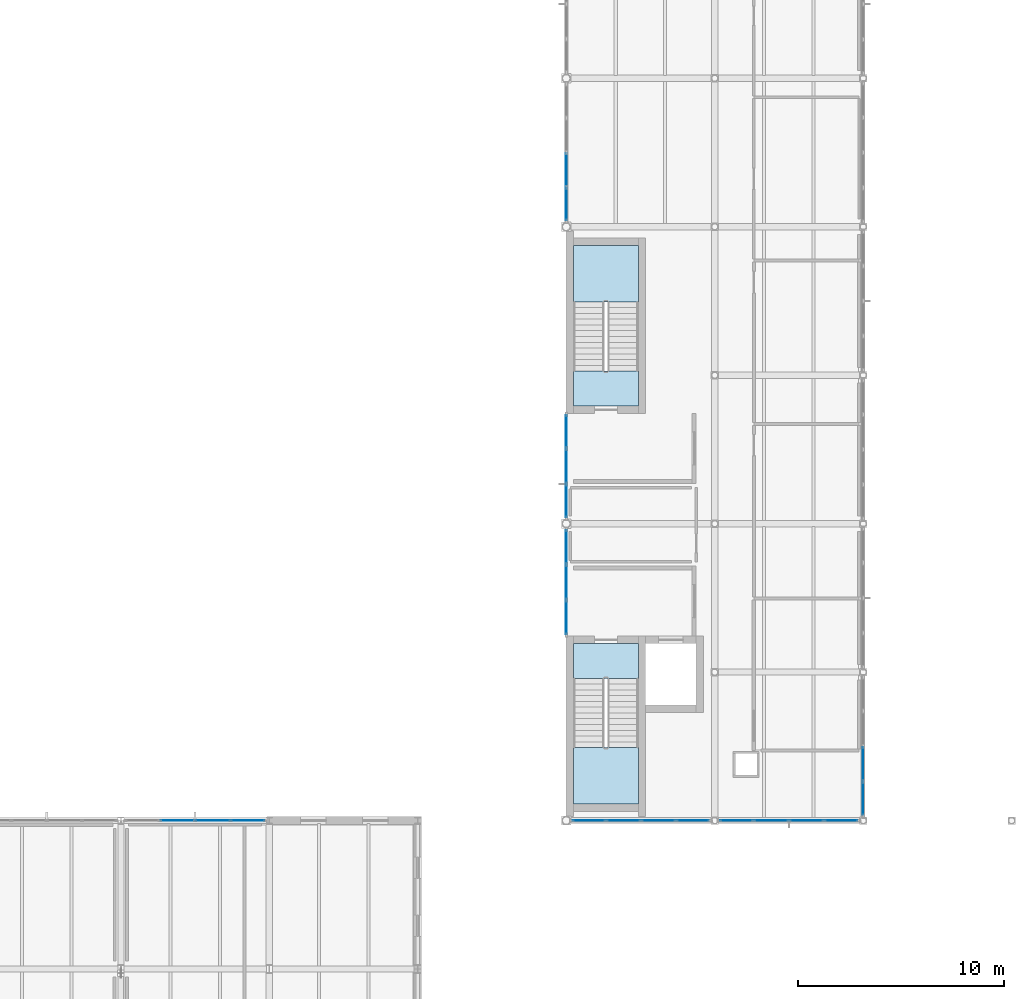
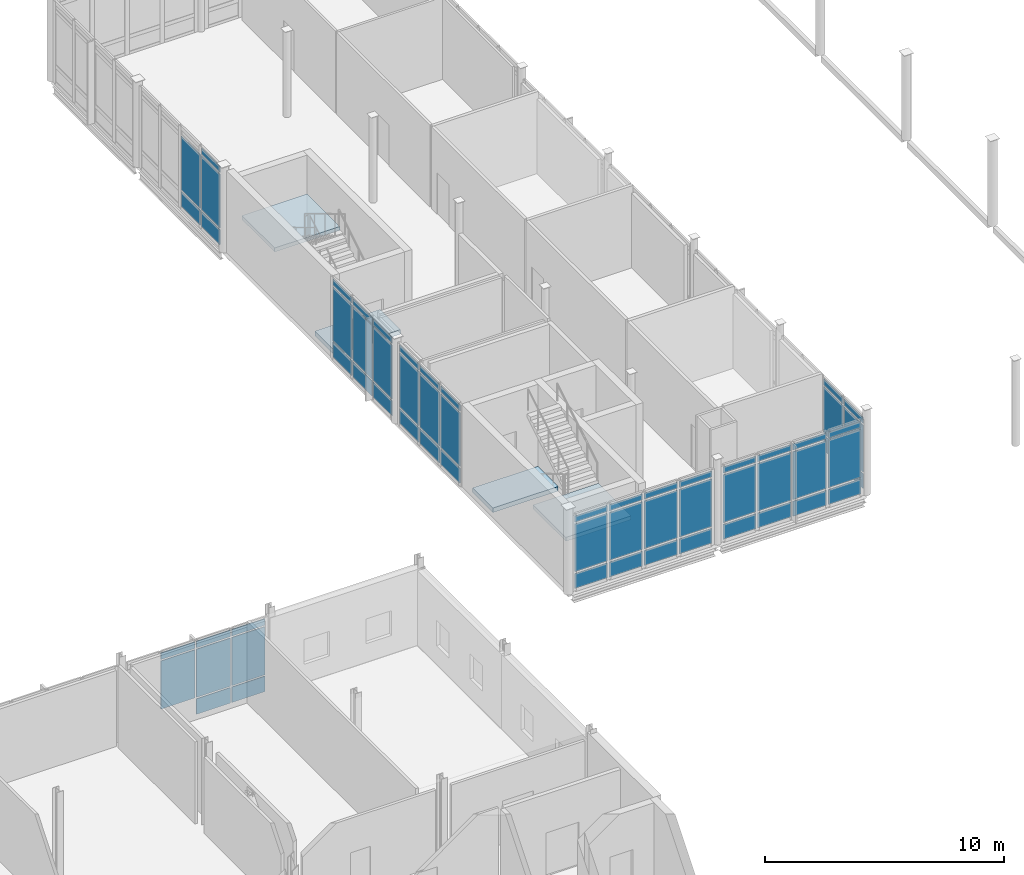
# One storey, part 38 of 76: 61 plates, 4 slabs, 9 elements without a shape of their own.
"""IFC4 building model written with IfcOpenShell, lengths in metres."""

from ifc_helpers import new_model, si_unit, direction, frame, origin, origin_2d, place, context, subcontext, project, spatial, polyline, rectangle, outline, extrude, material, layer, layer_set, type_object, element, aggregate, save


model = new_model("IFC4")

# Units and contexts
model_context = context("Model", 3, precision=1e-05, world=origin(), true_north=direction((0.0, 1.0)))
body_context = subcontext(model_context, "Body", "Model", "MODEL_VIEW")
ifc_project = project(units=[si_unit("LENGTHUNIT", "METRE"), si_unit("AREAUNIT", "SQUARE_METRE"), si_unit("VOLUMEUNIT", "CUBIC_METRE"), si_unit("PLANEANGLEUNIT", "RADIAN"), si_unit("MASSUNIT", "GRAM", prefix="KILO")], contexts=[model_context])

# Site, building, storey
site_placement = place(None, origin())
site = spatial("IfcSite", under=ifc_project, at=site_placement, CompositionType="ELEMENT")
building_placement = place(site_placement, origin())
building = spatial("IfcBuilding", under=site, at=building_placement, Name="Zarrinpeak Specialist Clinic", CompositionType="ELEMENT")
storey_placement = place(building_placement, frame((0.0, 0.0, 5.199951171875)))
storey = spatial("IfcBuildingStorey", under=building, at=storey_placement, Name="L01", CompositionType="ELEMENT", Elevation=5.199951171875)

# Curtain wall, plates
ifc_material_1 = material(Name="Anodised Aluminium Alloy 6063-T6", Category="aluminium")
ifc_layer_1 = layer(ifc_material_1, 0.199951171875)
ifc_layer_set_1 = layer_set([ifc_layer_1], Name="Anodised Aluminium Alloy 6063-T6")
curtain_wall_type_1 = type_object("IfcCurtainWallType", Name="CW-HALL", PredefinedType="NOTDEFINED", material=ifc_layer_set_1)
curtain_wall_1_placement = place(storey_placement, origin())
curtain_wall_1 = element("IfcCurtainWall", 1, at=curtain_wall_1_placement, inside=storey, type_object=curtain_wall_type_1, Name="L01 V3 Unitised Curtain Wall CW-L01-V3-097", PredefinedType="NOTDEFINED")
ifc_material_2 = material(Name="Double Low-E Insulated Glazing", Category="glass")
ifc_layer_2 = layer(ifc_material_2, 0.028076171875)
ifc_layer_set_2 = layer_set([ifc_layer_2], Name="Double Low-E Insulated Glazing")
plate_type_1 = type_object("IfcPlateType", Name="CWP-GLZ28", PredefinedType="CURTAIN_PANEL", material=ifc_layer_set_2)
plate_1_placement = place(storey_placement, frame((94.69873046875, 28.800048828125, 0.09033203125), z_axis=(0.0, 0.0, 1.0), x_axis=(1.0, 0.0, 0.0)))
plate_1 = element("IfcPlate", 2, at=plate_1_placement, type_object=plate_type_1, Name="CW-02 panel 1.1", PredefinedType="CURTAIN_PANEL", context=body_context, shape_type="SweptSolid", body=[
    extrude(rectangle(XDim=1.561279296875, YDim=0.028076171875, at=origin_2d()), origin(), (0.0, 0.0, 1.0), 0.764892578125),
])
plate_2_placement = place(storey_placement, frame((94.69873046875, 28.800048828125, 0.945068359375), z_axis=(0.0, 0.0, 1.0), x_axis=(1.0, 0.0, 0.0)))
plate_2 = element("IfcPlate", 3, at=plate_2_placement, type_object=plate_type_1, Name="CW-02 panel 1.2", PredefinedType="CURTAIN_PANEL", context=body_context, shape_type="SweptSolid", body=[
    extrude(rectangle(XDim=1.561279296875, YDim=0.028076171875, at=origin_2d()), origin(), (0.0, 0.0, 1.0), 2.43994140625),
])
plate_3_placement = place(storey_placement, frame((94.69873046875, 28.800048828125, 3.47509765625), z_axis=(0.0, 0.0, 1.0), x_axis=(1.0, 0.0, 0.0)))
plate_3 = element("IfcPlate", 4, at=plate_3_placement, type_object=plate_type_1, Name="CW-02 panel 1.3", PredefinedType="CURTAIN_PANEL", context=body_context, shape_type="SweptSolid", body=[
    extrude(rectangle(XDim=1.561279296875, YDim=0.028076171875, at=origin_2d()), origin(), (0.0, 0.0, 1.0), 0.31494140625),
])
plate_4_placement = place(storey_placement, frame((96.37255859375, 28.800048828125, 0.09033203125), z_axis=(0.0, 0.0, 1.0), x_axis=(1.0, 0.0, 0.0)))
plate_4 = element("IfcPlate", 5, at=plate_4_placement, type_object=plate_type_1, Name="CW-02 panel 2.1", PredefinedType="CURTAIN_PANEL", context=body_context, shape_type="SweptSolid", body=[
    extrude(rectangle(XDim=1.606201171875, YDim=0.028076171875, at=origin_2d()), origin(), (0.0, 0.0, 1.0), 0.764892578125),
])
plate_5_placement = place(storey_placement, frame((96.37255859375, 28.800048828125, 0.945068359375), z_axis=(0.0, 0.0, 1.0), x_axis=(1.0, 0.0, 0.0)))
plate_5 = element("IfcPlate", 6, at=plate_5_placement, type_object=plate_type_1, Name="CW-02 panel 2.2", PredefinedType="CURTAIN_PANEL", context=body_context, shape_type="SweptSolid", body=[
    extrude(rectangle(XDim=1.606201171875, YDim=0.028076171875, at=origin_2d()), origin(), (0.0, 0.0, 1.0), 2.43994140625),
])
plate_6_placement = place(storey_placement, frame((96.37255859375, 28.800048828125, 3.47509765625), z_axis=(0.0, 0.0, 1.0), x_axis=(1.0, 0.0, 0.0)))
plate_6 = element("IfcPlate", 7, at=plate_6_placement, type_object=plate_type_1, Name="CW-02 panel 2.3", PredefinedType="CURTAIN_PANEL", context=body_context, shape_type="SweptSolid", body=[
    extrude(rectangle(XDim=1.606201171875, YDim=0.028076171875, at=origin_2d()), origin(), (0.0, 0.0, 1.0), 0.31494140625),
])
plate_7_placement = place(storey_placement, frame((98.06884765625, 28.800048828125, 0.09033203125), z_axis=(0.0, 0.0, 1.0), x_axis=(1.0, 0.0, 0.0)))
plate_7 = element("IfcPlate", 8, at=plate_7_placement, type_object=plate_type_1, Name="CW-02 panel 3.1", PredefinedType="CURTAIN_PANEL", context=body_context, shape_type="SweptSolid", body=[
    extrude(rectangle(XDim=1.606201171875, YDim=0.028076171875, at=origin_2d()), origin(), (0.0, 0.0, 1.0), 0.764892578125),
])
plate_8_placement = place(storey_placement, frame((98.06884765625, 28.800048828125, 0.945068359375), z_axis=(0.0, 0.0, 1.0), x_axis=(1.0, 0.0, 0.0)))
plate_8 = element("IfcPlate", 9, at=plate_8_placement, type_object=plate_type_1, Name="CW-02 panel 3.2", PredefinedType="CURTAIN_PANEL", context=body_context, shape_type="SweptSolid", body=[
    extrude(rectangle(XDim=1.606201171875, YDim=0.028076171875, at=origin_2d()), origin(), (0.0, 0.0, 1.0), 2.43994140625),
])
plate_9_placement = place(storey_placement, frame((98.06884765625, 28.800048828125, 3.47509765625), z_axis=(0.0, 0.0, 1.0), x_axis=(1.0, 0.0, 0.0)))
plate_9 = element("IfcPlate", 10, at=plate_9_placement, type_object=plate_type_1, Name="CW-02 panel 3.3", PredefinedType="CURTAIN_PANEL", context=body_context, shape_type="SweptSolid", body=[
    extrude(rectangle(XDim=1.606201171875, YDim=0.028076171875, at=origin_2d()), origin(), (0.0, 0.0, 1.0), 0.31494140625),
])
plate_10_placement = place(storey_placement, frame((99.742431640625, 28.800048828125, 0.09033203125), z_axis=(0.0, 0.0, 1.0), x_axis=(1.0, 0.0, 0.0)))
plate_10 = element("IfcPlate", 11, at=plate_10_placement, type_object=plate_type_1, Name="CW-02 panel 4.1", PredefinedType="CURTAIN_PANEL", context=body_context, shape_type="SweptSolid", body=[
    extrude(rectangle(XDim=1.561279296875, YDim=0.028076171875, at=origin_2d()), origin(), (0.0, 0.0, 1.0), 0.764892578125),
])
plate_11_placement = place(storey_placement, frame((99.742431640625, 28.800048828125, 0.945068359375), z_axis=(0.0, 0.0, 1.0), x_axis=(1.0, 0.0, 0.0)))
plate_11 = element("IfcPlate", 12, at=plate_11_placement, type_object=plate_type_1, Name="CW-02 panel 4.2", PredefinedType="CURTAIN_PANEL", context=body_context, shape_type="SweptSolid", body=[
    extrude(rectangle(XDim=1.561279296875, YDim=0.028076171875, at=origin_2d()), origin(), (0.0, 0.0, 1.0), 2.43994140625),
])
plate_12_placement = place(storey_placement, frame((99.742431640625, 28.800048828125, 3.47509765625), z_axis=(0.0, 0.0, 1.0), x_axis=(1.0, 0.0, 0.0)))
plate_12 = element("IfcPlate", 13, at=plate_12_placement, type_object=plate_type_1, Name="CW-02 panel 4.3", PredefinedType="CURTAIN_PANEL", context=body_context, shape_type="SweptSolid", body=[
    extrude(rectangle(XDim=1.561279296875, YDim=0.028076171875, at=origin_2d()), origin(), (0.0, 0.0, 1.0), 0.31494140625),
])
aggregate(curtain_wall_1, [plate_1, plate_2, plate_3, plate_4, plate_5, plate_6, plate_7, plate_8, plate_9, plate_10, plate_11, plate_12])

curtain_wall_2_placement = place(storey_placement, origin())
curtain_wall_2 = element("IfcCurtainWall", 14, at=curtain_wall_2_placement, inside=storey, type_object=curtain_wall_type_1, Name="L01 V3 Unitised Curtain Wall CW-L01-V3-098", PredefinedType="NOTDEFINED")
plate_13_placement = place(storey_placement, frame((101.86279296875, 28.800048828125, 0.09033203125), z_axis=(0.0, 0.0, 1.0), x_axis=(1.0, 0.0, 0.0)))
plate_13 = element("IfcPlate", 15, at=plate_13_placement, type_object=plate_type_1, Name="CW-02 panel 1.1", PredefinedType="CURTAIN_PANEL", context=body_context, shape_type="SweptSolid", body=[
    extrude(rectangle(XDim=1.571533203125, YDim=0.028076171875, at=origin_2d()), origin(), (0.0, 0.0, 1.0), 0.764892578125),
])
plate_14_placement = place(storey_placement, frame((101.86279296875, 28.800048828125, 0.945068359375), z_axis=(0.0, 0.0, 1.0), x_axis=(1.0, 0.0, 0.0)))
plate_14 = element("IfcPlate", 16, at=plate_14_placement, type_object=plate_type_1, Name="CW-02 panel 1.2", PredefinedType="CURTAIN_PANEL", context=body_context, shape_type="SweptSolid", body=[
    extrude(rectangle(XDim=1.571533203125, YDim=0.028076171875, at=origin_2d()), origin(), (0.0, 0.0, 1.0), 2.43994140625),
])
plate_15_placement = place(storey_placement, frame((101.86279296875, 28.800048828125, 3.47509765625), z_axis=(0.0, 0.0, 1.0), x_axis=(1.0, 0.0, 0.0)))
plate_15 = element("IfcPlate", 17, at=plate_15_placement, type_object=plate_type_1, Name="CW-02 panel 1.3", PredefinedType="CURTAIN_PANEL", context=body_context, shape_type="SweptSolid", body=[
    extrude(rectangle(XDim=1.571533203125, YDim=0.028076171875, at=origin_2d()), origin(), (0.0, 0.0, 1.0), 0.31494140625),
])
plate_16_placement = place(storey_placement, frame((103.546630859375, 28.800048828125, 0.09033203125), z_axis=(0.0, 0.0, 1.0), x_axis=(1.0, 0.0, 0.0)))
plate_16 = element("IfcPlate", 18, at=plate_16_placement, type_object=plate_type_1, Name="CW-02 panel 2.1", PredefinedType="CURTAIN_PANEL", context=body_context, shape_type="SweptSolid", body=[
    extrude(rectangle(XDim=1.616455078125, YDim=0.028076171875, at=origin_2d()), origin(), (0.0, 0.0, 1.0), 0.764892578125),
])
plate_17_placement = place(storey_placement, frame((103.546630859375, 28.800048828125, 0.945068359375), z_axis=(0.0, 0.0, 1.0), x_axis=(1.0, 0.0, 0.0)))
plate_17 = element("IfcPlate", 19, at=plate_17_placement, type_object=plate_type_1, Name="CW-02 panel 2.2", PredefinedType="CURTAIN_PANEL", context=body_context, shape_type="SweptSolid", body=[
    extrude(rectangle(XDim=1.616455078125, YDim=0.028076171875, at=origin_2d()), origin(), (0.0, 0.0, 1.0), 2.43994140625),
])
plate_18_placement = place(storey_placement, frame((103.546630859375, 28.800048828125, 3.47509765625), z_axis=(0.0, 0.0, 1.0), x_axis=(1.0, 0.0, 0.0)))
plate_18 = element("IfcPlate", 20, at=plate_18_placement, type_object=plate_type_1, Name="CW-02 panel 2.3", PredefinedType="CURTAIN_PANEL", context=body_context, shape_type="SweptSolid", body=[
    extrude(rectangle(XDim=1.616455078125, YDim=0.028076171875, at=origin_2d()), origin(), (0.0, 0.0, 1.0), 0.31494140625),
])
plate_19_placement = place(storey_placement, frame((105.253173828125, 28.800048828125, 0.09033203125), z_axis=(0.0, 0.0, 1.0), x_axis=(1.0, 0.0, 0.0)))
plate_19 = element("IfcPlate", 21, at=plate_19_placement, type_object=plate_type_1, Name="CW-02 panel 3.1", PredefinedType="CURTAIN_PANEL", context=body_context, shape_type="SweptSolid", body=[
    extrude(rectangle(XDim=1.616455078125, YDim=0.028076171875, at=origin_2d()), origin(), (0.0, 0.0, 1.0), 0.764892578125),
])
plate_20_placement = place(storey_placement, frame((105.253173828125, 28.800048828125, 0.945068359375), z_axis=(0.0, 0.0, 1.0), x_axis=(1.0, 0.0, 0.0)))
plate_20 = element("IfcPlate", 22, at=plate_20_placement, type_object=plate_type_1, Name="CW-02 panel 3.2", PredefinedType="CURTAIN_PANEL", context=body_context, shape_type="SweptSolid", body=[
    extrude(rectangle(XDim=1.616455078125, YDim=0.028076171875, at=origin_2d()), origin(), (0.0, 0.0, 1.0), 2.43994140625),
])
plate_21_placement = place(storey_placement, frame((105.253173828125, 28.800048828125, 3.47509765625), z_axis=(0.0, 0.0, 1.0), x_axis=(1.0, 0.0, 0.0)))
plate_21 = element("IfcPlate", 23, at=plate_21_placement, type_object=plate_type_1, Name="CW-02 panel 3.3", PredefinedType="CURTAIN_PANEL", context=body_context, shape_type="SweptSolid", body=[
    extrude(rectangle(XDim=1.616455078125, YDim=0.028076171875, at=origin_2d()), origin(), (0.0, 0.0, 1.0), 0.31494140625),
])
plate_22_placement = place(storey_placement, frame((106.937255859375, 28.800048828125, 0.09033203125), z_axis=(0.0, 0.0, 1.0), x_axis=(1.0, 0.0, 0.0)))
plate_22 = element("IfcPlate", 24, at=plate_22_placement, type_object=plate_type_1, Name="CW-02 panel 4.1", PredefinedType="CURTAIN_PANEL", context=body_context, shape_type="SweptSolid", body=[
    extrude(rectangle(XDim=1.571533203125, YDim=0.028076171875, at=origin_2d()), origin(), (0.0, 0.0, 1.0), 0.764892578125),
])
plate_23_placement = place(storey_placement, frame((106.937255859375, 28.800048828125, 0.945068359375), z_axis=(0.0, 0.0, 1.0), x_axis=(1.0, 0.0, 0.0)))
plate_23 = element("IfcPlate", 25, at=plate_23_placement, type_object=plate_type_1, Name="CW-02 panel 4.2", PredefinedType="CURTAIN_PANEL", context=body_context, shape_type="SweptSolid", body=[
    extrude(rectangle(XDim=1.571533203125, YDim=0.028076171875, at=origin_2d()), origin(), (0.0, 0.0, 1.0), 2.43994140625),
])
plate_24_placement = place(storey_placement, frame((106.937255859375, 28.800048828125, 3.47509765625), z_axis=(0.0, 0.0, 1.0), x_axis=(1.0, 0.0, 0.0)))
plate_24 = element("IfcPlate", 26, at=plate_24_placement, type_object=plate_type_1, Name="CW-02 panel 4.3", PredefinedType="CURTAIN_PANEL", context=body_context, shape_type="SweptSolid", body=[
    extrude(rectangle(XDim=1.571533203125, YDim=0.028076171875, at=origin_2d()), origin(), (0.0, 0.0, 1.0), 0.31494140625),
])
aggregate(curtain_wall_2, [plate_13, plate_14, plate_15, plate_16, plate_17, plate_18, plate_19, plate_20, plate_21, plate_22, plate_23, plate_24])

curtain_wall_3_placement = place(storey_placement, origin())
curtain_wall_3 = element("IfcCurtainWall", 27, at=curtain_wall_3_placement, inside=storey, type_object=curtain_wall_type_1, Name="L01 V3 Unitised Curtain Wall CW-L01-V3-101", PredefinedType="NOTDEFINED")
plate_25_placement = place(storey_placement, frame((93.60009765625, 42.0791015625, 0.09033203125), z_axis=(0.0, 0.0, 1.0), x_axis=(0.0, -1.0, 0.0)))
plate_25 = element("IfcPlate", 28, at=plate_25_placement, type_object=plate_type_1, Name="CW-02 panel 1.1", PredefinedType="CURTAIN_PANEL", context=body_context, shape_type="SweptSolid", body=[
    extrude(rectangle(XDim=1.605712890625, YDim=0.028076171875, at=origin_2d()), origin(), (0.0, 0.0, 1.0), 0.764892578125),
])
plate_26_placement = place(storey_placement, frame((93.60009765625, 42.0791015625, 0.945068359375), z_axis=(0.0, 0.0, 1.0), x_axis=(0.0, -1.0, 0.0)))
plate_26 = element("IfcPlate", 29, at=plate_26_placement, type_object=plate_type_1, Name="CW-02 panel 1.2", PredefinedType="CURTAIN_PANEL", context=body_context, shape_type="SweptSolid", body=[
    extrude(rectangle(XDim=1.605712890625, YDim=0.028076171875, at=origin_2d()), origin(), (0.0, 0.0, 1.0), 2.7451171875),
])
plate_27_placement = place(storey_placement, frame((93.60009765625, 42.0791015625, 3.780029296875), z_axis=(0.0, 0.0, 1.0), x_axis=(0.0, -1.0, 0.0)))
plate_27 = element("IfcPlate", 30, at=plate_27_placement, type_object=plate_type_1, Name="CW-02 panel 1.3", PredefinedType="CURTAIN_PANEL", context=body_context, shape_type="SweptSolid", body=[
    extrude(rectangle(XDim=1.605712890625, YDim=0.028076171875, at=origin_2d()), origin(), (0.0, 0.0, 1.0), 0.31494140625),
])
plate_28_placement = place(storey_placement, frame((93.60009765625, 40.36083984375, 0.09033203125), z_axis=(0.0, 0.0, 1.0), x_axis=(0.0, -1.0, 0.0)))
plate_28 = element("IfcPlate", 31, at=plate_28_placement, type_object=plate_type_1, Name="CW-02 panel 2.1", PredefinedType="CURTAIN_PANEL", context=body_context, shape_type="SweptSolid", body=[
    extrude(rectangle(XDim=1.650634765625, YDim=0.028076171875, at=origin_2d()), origin(), (0.0, 0.0, 1.0), 0.764892578125),
])
plate_29_placement = place(storey_placement, frame((93.60009765625, 40.36083984375, 0.945068359375), z_axis=(0.0, 0.0, 1.0), x_axis=(0.0, -1.0, 0.0)))
plate_29 = element("IfcPlate", 32, at=plate_29_placement, type_object=plate_type_1, Name="CW-02 panel 2.2", PredefinedType="CURTAIN_PANEL", context=body_context, shape_type="SweptSolid", body=[
    extrude(rectangle(XDim=1.650634765625, YDim=0.028076171875, at=origin_2d()), origin(), (0.0, 0.0, 1.0), 2.7451171875),
])
plate_30_placement = place(storey_placement, frame((93.60009765625, 40.36083984375, 3.780029296875), z_axis=(0.0, 0.0, 1.0), x_axis=(0.0, -1.0, 0.0)))
plate_30 = element("IfcPlate", 33, at=plate_30_placement, type_object=plate_type_1, Name="CW-02 panel 2.3", PredefinedType="CURTAIN_PANEL", context=body_context, shape_type="SweptSolid", body=[
    extrude(rectangle(XDim=1.650634765625, YDim=0.028076171875, at=origin_2d()), origin(), (0.0, 0.0, 1.0), 0.31494140625),
])
plate_31_placement = place(storey_placement, frame((93.60009765625, 38.642822265625, 0.09033203125), z_axis=(0.0, 0.0, 1.0), x_axis=(0.0, -1.0, 0.0)))
plate_31 = element("IfcPlate", 34, at=plate_31_placement, type_object=plate_type_1, Name="CW-02 panel 3.1", PredefinedType="CURTAIN_PANEL", context=body_context, shape_type="SweptSolid", body=[
    extrude(rectangle(XDim=1.605712890625, YDim=0.028076171875, at=origin_2d()), origin(), (0.0, 0.0, 1.0), 0.764892578125),
])
plate_32_placement = place(storey_placement, frame((93.60009765625, 38.642822265625, 0.945068359375), z_axis=(0.0, 0.0, 1.0), x_axis=(0.0, -1.0, 0.0)))
plate_32 = element("IfcPlate", 35, at=plate_32_placement, type_object=plate_type_1, Name="CW-02 panel 3.2", PredefinedType="CURTAIN_PANEL", context=body_context, shape_type="SweptSolid", body=[
    extrude(rectangle(XDim=1.605712890625, YDim=0.028076171875, at=origin_2d()), origin(), (0.0, 0.0, 1.0), 2.7451171875),
])
plate_33_placement = place(storey_placement, frame((93.60009765625, 38.642822265625, 3.780029296875), z_axis=(0.0, 0.0, 1.0), x_axis=(0.0, -1.0, 0.0)))
plate_33 = element("IfcPlate", 36, at=plate_33_placement, type_object=plate_type_1, Name="CW-02 panel 3.3", PredefinedType="CURTAIN_PANEL", context=body_context, shape_type="SweptSolid", body=[
    extrude(rectangle(XDim=1.605712890625, YDim=0.028076171875, at=origin_2d()), origin(), (0.0, 0.0, 1.0), 0.31494140625),
])
aggregate(curtain_wall_3, [plate_25, plate_26, plate_27, plate_28, plate_29, plate_30, plate_31, plate_32, plate_33])

curtain_wall_4_placement = place(storey_placement, origin())
curtain_wall_4 = element("IfcCurtainWall", 37, at=curtain_wall_4_placement, inside=storey, type_object=curtain_wall_type_1, Name="L01 V3 Unitised Curtain Wall CW-L01-V3-102", PredefinedType="NOTDEFINED")
plate_34_placement = place(storey_placement, frame((93.60009765625, 47.673828125, 0.09033203125), z_axis=(0.0, 0.0, 1.0), x_axis=(0.0, -1.0, 0.0)))
plate_34 = element("IfcPlate", 38, at=plate_34_placement, type_object=plate_type_1, Name="CW-02 panel 1.1", PredefinedType="CURTAIN_PANEL", context=body_context, shape_type="SweptSolid", body=[
    extrude(rectangle(XDim=1.572265625, YDim=0.028076171875, at=origin_2d()), origin(), (0.0, 0.0, 1.0), 0.764892578125),
])
plate_35_placement = place(storey_placement, frame((93.60009765625, 47.673828125, 0.945068359375), z_axis=(0.0, 0.0, 1.0), x_axis=(0.0, -1.0, 0.0)))
plate_35 = element("IfcPlate", 39, at=plate_35_placement, type_object=plate_type_1, Name="CW-02 panel 1.2", PredefinedType="CURTAIN_PANEL", context=body_context, shape_type="SweptSolid", body=[
    extrude(rectangle(XDim=1.572265625, YDim=0.028076171875, at=origin_2d()), origin(), (0.0, 0.0, 1.0), 2.7451171875),
])
plate_36_placement = place(storey_placement, frame((93.60009765625, 47.673828125, 3.780029296875), z_axis=(0.0, 0.0, 1.0), x_axis=(0.0, -1.0, 0.0)))
plate_36 = element("IfcPlate", 40, at=plate_36_placement, type_object=plate_type_1, Name="CW-02 panel 1.3", PredefinedType="CURTAIN_PANEL", context=body_context, shape_type="SweptSolid", body=[
    extrude(rectangle(XDim=1.572265625, YDim=0.028076171875, at=origin_2d()), origin(), (0.0, 0.0, 1.0), 0.31494140625),
])
plate_37_placement = place(storey_placement, frame((93.60009765625, 45.989013671875, 0.09033203125), z_axis=(0.0, 0.0, 1.0), x_axis=(0.0, -1.0, 0.0)))
plate_37 = element("IfcPlate", 41, at=plate_37_placement, type_object=plate_type_1, Name="CW-02 panel 2.1", PredefinedType="CURTAIN_PANEL", context=body_context, shape_type="SweptSolid", body=[
    extrude(rectangle(XDim=1.6171875, YDim=0.028076171875, at=origin_2d()), origin(), (0.0, 0.0, 1.0), 0.764892578125),
])
plate_38_placement = place(storey_placement, frame((93.60009765625, 45.989013671875, 0.945068359375), z_axis=(0.0, 0.0, 1.0), x_axis=(0.0, -1.0, 0.0)))
plate_38 = element("IfcPlate", 42, at=plate_38_placement, type_object=plate_type_1, Name="CW-02 panel 2.2", PredefinedType="CURTAIN_PANEL", context=body_context, shape_type="SweptSolid", body=[
    extrude(rectangle(XDim=1.6171875, YDim=0.028076171875, at=origin_2d()), origin(), (0.0, 0.0, 1.0), 2.7451171875),
])
plate_39_placement = place(storey_placement, frame((93.60009765625, 45.989013671875, 3.780029296875), z_axis=(0.0, 0.0, 1.0), x_axis=(0.0, -1.0, 0.0)))
plate_39 = element("IfcPlate", 43, at=plate_39_placement, type_object=plate_type_1, Name="CW-02 panel 2.3", PredefinedType="CURTAIN_PANEL", context=body_context, shape_type="SweptSolid", body=[
    extrude(rectangle(XDim=1.6171875, YDim=0.028076171875, at=origin_2d()), origin(), (0.0, 0.0, 1.0), 0.31494140625),
])
plate_40_placement = place(storey_placement, frame((93.60009765625, 44.304443359375, 0.09033203125), z_axis=(0.0, 0.0, 1.0), x_axis=(0.0, -1.0, 0.0)))
plate_40 = element("IfcPlate", 44, at=plate_40_placement, type_object=plate_type_1, Name="CW-02 panel 3.1", PredefinedType="CURTAIN_PANEL", context=body_context, shape_type="SweptSolid", body=[
    extrude(rectangle(XDim=1.572265625, YDim=0.028076171875, at=origin_2d()), origin(), (0.0, 0.0, 1.0), 0.764892578125),
])
plate_41_placement = place(storey_placement, frame((93.60009765625, 44.304443359375, 0.945068359375), z_axis=(0.0, 0.0, 1.0), x_axis=(0.0, -1.0, 0.0)))
plate_41 = element("IfcPlate", 45, at=plate_41_placement, type_object=plate_type_1, Name="CW-02 panel 3.2", PredefinedType="CURTAIN_PANEL", context=body_context, shape_type="SweptSolid", body=[
    extrude(rectangle(XDim=1.572265625, YDim=0.028076171875, at=origin_2d()), origin(), (0.0, 0.0, 1.0), 2.7451171875),
])
plate_42_placement = place(storey_placement, frame((93.60009765625, 44.304443359375, 3.780029296875), z_axis=(0.0, 0.0, 1.0), x_axis=(0.0, -1.0, 0.0)))
plate_42 = element("IfcPlate", 46, at=plate_42_placement, type_object=plate_type_1, Name="CW-02 panel 3.3", PredefinedType="CURTAIN_PANEL", context=body_context, shape_type="SweptSolid", body=[
    extrude(rectangle(XDim=1.572265625, YDim=0.028076171875, at=origin_2d()), origin(), (0.0, 0.0, 1.0), 0.31494140625),
])
aggregate(curtain_wall_4, [plate_34, plate_35, plate_36, plate_37, plate_38, plate_39, plate_40, plate_41, plate_42])

curtain_wall_5_placement = place(storey_placement, origin())
curtain_wall_5 = element("IfcCurtainWall", 47, at=curtain_wall_5_placement, inside=storey, type_object=curtain_wall_type_1, Name="L01 V3 Unitised Curtain Wall CW-L01-V3-103", PredefinedType="NOTDEFINED")
plate_43_placement = place(storey_placement, frame((93.60009765625, 60.35693359375, 0.09033203125), z_axis=(0.0, 0.0, 1.0), x_axis=(0.0, -1.0, 0.0)))
plate_43 = element("IfcPlate", 48, at=plate_43_placement, type_object=plate_type_1, Name="CW-02 panel 3.1", PredefinedType="CURTAIN_PANEL", context=body_context, shape_type="SweptSolid", body=[
    extrude(rectangle(XDim=1.595947265625, YDim=0.028076171875, at=origin_2d()), origin(), (0.0, 0.0, 1.0), 0.764892578125),
])
plate_44_placement = place(storey_placement, frame((93.60009765625, 60.35693359375, 0.945068359375), z_axis=(0.0, 0.0, 1.0), x_axis=(0.0, -1.0, 0.0)))
plate_44 = element("IfcPlate", 49, at=plate_44_placement, type_object=plate_type_1, Name="CW-02 panel 3.2", PredefinedType="CURTAIN_PANEL", context=body_context, shape_type="SweptSolid", body=[
    extrude(rectangle(XDim=1.595947265625, YDim=0.028076171875, at=origin_2d()), origin(), (0.0, 0.0, 1.0), 2.7451171875),
])
plate_45_placement = place(storey_placement, frame((93.60009765625, 58.693603515625, 0.09033203125), z_axis=(0.0, 0.0, 1.0), x_axis=(0.0, -1.0, 0.0)))
plate_45 = element("IfcPlate", 50, at=plate_45_placement, type_object=plate_type_1, Name="CW-02 panel 4.1", PredefinedType="CURTAIN_PANEL", context=body_context, shape_type="SweptSolid", body=[
    extrude(rectangle(XDim=1.55078125, YDim=0.028076171875, at=origin_2d()), origin(), (0.0, 0.0, 1.0), 0.764892578125),
])
plate_46_placement = place(storey_placement, frame((93.60009765625, 58.693603515625, 0.945068359375), z_axis=(0.0, 0.0, 1.0), x_axis=(0.0, -1.0, 0.0)))
plate_46 = element("IfcPlate", 51, at=plate_46_placement, type_object=plate_type_1, Name="CW-02 panel 4.2", PredefinedType="CURTAIN_PANEL", context=body_context, shape_type="SweptSolid", body=[
    extrude(rectangle(XDim=1.55078125, YDim=0.028076171875, at=origin_2d()), origin(), (0.0, 0.0, 1.0), 2.7451171875),
])
plate_47_placement = place(storey_placement, frame((93.60009765625, 58.693603515625, 3.780029296875), z_axis=(0.0, 0.0, 1.0), x_axis=(0.0, -1.0, 0.0)))
plate_47 = element("IfcPlate", 52, at=plate_47_placement, type_object=plate_type_1, Name="CW-02 panel 4.3", PredefinedType="CURTAIN_PANEL", context=body_context, shape_type="SweptSolid", body=[
    extrude(rectangle(XDim=1.55078125, YDim=0.028076171875, at=origin_2d()), origin(), (0.0, 0.0, 1.0), 0.31494140625),
])
aggregate(curtain_wall_5, [plate_43, plate_44, plate_45, plate_46, plate_47])

curtain_wall_6_placement = place(storey_placement, origin())
curtain_wall_6 = element("IfcCurtainWall", 53, at=curtain_wall_6_placement, inside=storey, type_object=curtain_wall_type_1, Name="L01 V3 Unitised Curtain Wall CW-L01-V3-105", PredefinedType="NOTDEFINED")
plate_48_placement = place(storey_placement, frame((108.0, 29.86279296875, 0.09033203125), z_axis=(0.0, 0.0, 1.0), x_axis=(0.0, 1.0, 0.0)))
plate_48 = element("IfcPlate", 54, at=plate_48_placement, type_object=plate_type_1, Name="CW-02 panel 1.1", PredefinedType="CURTAIN_PANEL", context=body_context, shape_type="SweptSolid", body=[
    extrude(rectangle(XDim=1.571533203125, YDim=0.028076171875, at=origin_2d()), origin(), (0.0, 0.0, 1.0), 0.764892578125),
])
plate_49_placement = place(storey_placement, frame((108.0, 29.86279296875, 0.945068359375), z_axis=(0.0, 0.0, 1.0), x_axis=(0.0, 1.0, 0.0)))
plate_49 = element("IfcPlate", 55, at=plate_49_placement, type_object=plate_type_1, Name="CW-02 panel 1.2", PredefinedType="CURTAIN_PANEL", context=body_context, shape_type="SweptSolid", body=[
    extrude(rectangle(XDim=1.571533203125, YDim=0.028076171875, at=origin_2d()), origin(), (0.0, 0.0, 1.0), 2.3701171875),
])
plate_50_placement = place(storey_placement, frame((108.0, 29.86279296875, 3.405029296875), z_axis=(0.0, 0.0, 1.0), x_axis=(0.0, 1.0, 0.0)))
plate_50 = element("IfcPlate", 56, at=plate_50_placement, type_object=plate_type_1, Name="CW-02 panel 1.3", PredefinedType="CURTAIN_PANEL", context=body_context, shape_type="SweptSolid", body=[
    extrude(rectangle(XDim=1.571533203125, YDim=0.028076171875, at=origin_2d()), origin(), (0.0, 0.0, 1.0), 0.31494140625),
])
plate_51_placement = place(storey_placement, frame((108.0, 31.546630859375, 0.09033203125), z_axis=(0.0, 0.0, 1.0), x_axis=(0.0, 1.0, 0.0)))
plate_51 = element("IfcPlate", 57, at=plate_51_placement, type_object=plate_type_1, Name="CW-02 panel 2.1", PredefinedType="CURTAIN_PANEL", context=body_context, shape_type="SweptSolid", body=[
    extrude(rectangle(XDim=1.616455078125, YDim=0.028076171875, at=origin_2d()), origin(), (0.0, 0.0, 1.0), 0.764892578125),
])
plate_52_placement = place(storey_placement, frame((108.0, 31.546630859375, 0.945068359375), z_axis=(0.0, 0.0, 1.0), x_axis=(0.0, 1.0, 0.0)))
plate_52 = element("IfcPlate", 58, at=plate_52_placement, type_object=plate_type_1, Name="CW-02 panel 2.2", PredefinedType="CURTAIN_PANEL", context=body_context, shape_type="SweptSolid", body=[
    extrude(rectangle(XDim=1.616455078125, YDim=0.028076171875, at=origin_2d()), origin(), (0.0, 0.0, 1.0), 2.3701171875),
])
plate_53_placement = place(storey_placement, frame((108.0, 31.546630859375, 3.405029296875), z_axis=(0.0, 0.0, 1.0), x_axis=(0.0, 1.0, 0.0)))
plate_53 = element("IfcPlate", 59, at=plate_53_placement, type_object=plate_type_1, Name="CW-02 panel 2.3", PredefinedType="CURTAIN_PANEL", context=body_context, shape_type="SweptSolid", body=[
    extrude(rectangle(XDim=1.616455078125, YDim=0.028076171875, at=origin_2d()), origin(), (0.0, 0.0, 1.0), 0.31494140625),
])
aggregate(curtain_wall_6, [plate_48, plate_49, plate_50, plate_51, plate_52, plate_53])

ifc_layer_3 = layer(ifc_material_1, 0.179931640625)
ifc_layer_set_3 = layer_set([ifc_layer_3], Name="Anodised Aluminium Alloy 6063-T6")
curtain_wall_type_2 = type_object("IfcCurtainWallType", Name="CW-COURT", PredefinedType="NOTDEFINED", material=ifc_layer_set_3)
curtain_wall_7_placement = place(storey_placement, origin())
curtain_wall_7 = element("IfcCurtainWall", 60, at=curtain_wall_7_placement, inside=storey, type_object=curtain_wall_type_2, Name="L01 V4 Unitised Curtain Wall CW-L01-V4-072", PredefinedType="NOTDEFINED")
ifc_material_3 = material(Name="Triple Acoustic Low-E Glazing", Category="glass")
ifc_layer_4 = layer(ifc_material_3, 0.035888671875)
ifc_layer_set_4 = layer_set([ifc_layer_4], Name="Triple Acoustic Low-E Glazing")
plate_type_2 = type_object("IfcPlateType", Name="CWP-GLZ36", PredefinedType="CURTAIN_PANEL", material=ifc_layer_set_4)
plate_54_placement = place(storey_placement, frame((78.14990234375, 28.800048828125, 0.074951171875), z_axis=(0.0, 0.0, 1.0), x_axis=(-1.0, 0.0, 0.0)))
plate_54 = element("IfcPlate", 61, at=plate_54_placement, type_object=plate_type_2, Name="CW-01 panel 1.1", PredefinedType="CURTAIN_PANEL", context=body_context, shape_type="SweptSolid", body=[
    extrude(rectangle(XDim=1.60009765625, YDim=0.035888671875, at=origin_2d()), origin(), (0.0, 0.0, 1.0), 0.78759765625),
])
plate_55_placement = place(storey_placement, frame((78.14990234375, 28.800048828125, 0.9375), z_axis=(0.0, 0.0, 1.0), x_axis=(-1.0, 0.0, 0.0)))
plate_55 = element("IfcPlate", 62, at=plate_55_placement, type_object=plate_type_2, Name="CW-01 panel 1.2", PredefinedType="CURTAIN_PANEL", context=body_context, shape_type="SweptSolid", body=[
    extrude(rectangle(XDim=1.60009765625, YDim=0.035888671875, at=origin_2d()), origin(), (0.0, 0.0, 1.0), 2.455078125),
])
plate_56_placement = place(storey_placement, frame((78.14990234375, 28.800048828125, 3.467529296875), z_axis=(0.0, 0.0, 1.0), x_axis=(-1.0, 0.0, 0.0)))
plate_56 = element("IfcPlate", 63, at=plate_56_placement, type_object=plate_type_2, Name="CW-01 panel 1.3", PredefinedType="CURTAIN_PANEL", context=body_context, shape_type="SweptSolid", body=[
    extrude(rectangle(XDim=1.60009765625, YDim=0.035888671875, at=origin_2d()), origin(), (0.0, 0.0, 1.0), 0.33740234375),
])
plate_57_placement = place(storey_placement, frame((76.456298828125, 28.800048828125, 0.074951171875), z_axis=(0.0, 0.0, 1.0), x_axis=(-1.0, 0.0, 0.0)))
plate_57 = element("IfcPlate", 64, at=plate_57_placement, type_object=plate_type_2, Name="CW-01 panel 2.1", PredefinedType="CURTAIN_PANEL", context=body_context, shape_type="SweptSolid", body=[
    extrude(rectangle(XDim=1.637451171875, YDim=0.035888671875, at=origin_2d()), origin(), (0.0, 0.0, 1.0), 0.78759765625),
])
plate_58_placement = place(storey_placement, frame((76.456298828125, 28.800048828125, 0.9375), z_axis=(0.0, 0.0, 1.0), x_axis=(-1.0, 0.0, 0.0)))
plate_58 = element("IfcPlate", 65, at=plate_58_placement, type_object=plate_type_2, Name="CW-01 panel 2.2", PredefinedType="CURTAIN_PANEL", context=body_context, shape_type="SweptSolid", body=[
    extrude(rectangle(XDim=1.637451171875, YDim=0.035888671875, at=origin_2d()), origin(), (0.0, 0.0, 1.0), 2.455078125),
])
plate_59_placement = place(storey_placement, frame((76.456298828125, 28.800048828125, 3.467529296875), z_axis=(0.0, 0.0, 1.0), x_axis=(-1.0, 0.0, 0.0)))
plate_59 = element("IfcPlate", 66, at=plate_59_placement, type_object=plate_type_2, Name="CW-01 panel 2.3", PredefinedType="CURTAIN_PANEL", context=body_context, shape_type="SweptSolid", body=[
    extrude(rectangle(XDim=1.637451171875, YDim=0.035888671875, at=origin_2d()), origin(), (0.0, 0.0, 1.0), 0.33740234375),
])
plate_60_placement = place(storey_placement, frame((74.74365234375, 28.800048828125, 0.9375), z_axis=(0.0, 0.0, 1.0), x_axis=(-1.0, 0.0, 0.0)))
plate_60 = element("IfcPlate", 67, at=plate_60_placement, type_object=plate_type_2, Name="CW-01 panel 3.2", PredefinedType="CURTAIN_PANEL", context=body_context, shape_type="SweptSolid", body=[
    extrude(rectangle(XDim=1.637451171875, YDim=0.035888671875, at=origin_2d()), origin(), (0.0, 0.0, 1.0), 2.455078125),
])
plate_61_placement = place(storey_placement, frame((74.74365234375, 28.800048828125, 3.467529296875), z_axis=(0.0, 0.0, 1.0), x_axis=(-1.0, 0.0, 0.0)))
plate_61 = element("IfcPlate", 68, at=plate_61_placement, type_object=plate_type_2, Name="CW-01 panel 3.3", PredefinedType="CURTAIN_PANEL", context=body_context, shape_type="SweptSolid", body=[
    extrude(rectangle(XDim=1.637451171875, YDim=0.035888671875, at=origin_2d()), origin(), (0.0, 0.0, 1.0), 0.33740234375),
])
aggregate(curtain_wall_7, [plate_54, plate_55, plate_56, plate_57, plate_58, plate_59, plate_60, plate_61])

# Slabs
ifc_material_4 = material(Name="Concrete C35/45", Category="concrete")
ifc_layer_5 = layer(ifc_material_4, 0.22998046875)
ifc_layer_set_5 = layer_set([ifc_layer_5], Name="Concrete C35/45")
slab_type_1 = type_object("IfcSlabType", Name="SL-FLR230", PredefinedType="FLOOR", material=ifc_layer_set_5)
slab_1_placement = place(storey_placement, frame((0.0, 0.0, -0.22998046875)))
element("IfcSlab", 69, at=slab_1_placement, inside=storey, type_object=slab_type_1, Name="L01 Core C05 Stairwell Floor Landing Slab", PredefinedType="FLOOR", context=body_context, shape_type="SweptSolid", body=[
    extrude(outline(polyline([(93.949951171875, 35.699951171875), (97.10009765625, 35.699951171875), (97.10009765625, 37.39990234375), (93.949951171875, 37.39990234375), (93.949951171875, 35.699951171875)])), origin(), (0.0, 0.0, 1.0), 0.22998046875),
])
slab_2_placement = place(storey_placement, frame((0.0, 0.0, -0.22998046875)))
element("IfcSlab", 70, at=slab_2_placement, inside=storey, type_object=slab_type_1, Name="L01 Core C06 Stairwell Floor Landing Slab", PredefinedType="FLOOR", context=body_context, shape_type="SweptSolid", body=[
    extrude(outline(polyline([(93.949951171875, 48.89990234375), (97.10009765625, 48.89990234375), (97.10009765625, 50.60009765625), (93.949951171875, 50.60009765625), (93.949951171875, 48.89990234375)])), origin(), (0.0, 0.0, 1.0), 0.22998046875),
])

# Stair, slab
stair_type = type_object("IfcStairType", Name="ST-DOG", PredefinedType="HALF_TURN_STAIR", material=ifc_material_4)
stair_1_placement = place(storey_placement, origin())
stair_1 = element("IfcStair", 71, at=stair_1_placement, inside=storey, type_object=stair_type, Name="L01 Protected Exit Stair ST-05", PredefinedType="HALF_TURN_STAIR")
ifc_layer_6 = layer(ifc_material_4, 0.199951171875)
ifc_layer_set_6 = layer_set([ifc_layer_6], Name="Concrete C35/45")
slab_type_2 = type_object("IfcSlabType", Name="SL-LAND200", PredefinedType="LANDING", material=ifc_layer_set_6)
slab_3_placement = place(storey_placement, frame((0.0, 0.0, 2.0)))
slab_3 = element("IfcSlab", 72, at=slab_3_placement, type_object=slab_type_2, Name="ST-05 landing 1", PredefinedType="LANDING", context=body_context, shape_type="SweptSolid", body=[
    extrude(outline(polyline([(93.949951171875, 32.340087890625), (93.949951171875, 29.60009765625), (97.10009765625, 29.60009765625), (97.10009765625, 32.340087890625), (93.949951171875, 32.340087890625)])), origin(), (0.0, 0.0, 1.0), 0.199951171875),
])
aggregate(stair_1, [slab_3])

stair_2_placement = place(storey_placement, origin())
stair_2 = element("IfcStair", 73, at=stair_2_placement, inside=storey, type_object=stair_type, Name="L01 Protected Exit Stair ST-06", PredefinedType="HALF_TURN_STAIR")
slab_4_placement = place(storey_placement, frame((0.0, 0.0, 2.0)))
slab_4 = element("IfcSlab", 74, at=slab_4_placement, type_object=slab_type_2, Name="ST-06 landing 1", PredefinedType="LANDING", context=body_context, shape_type="SweptSolid", body=[
    extrude(outline(polyline([(97.10009765625, 53.9599609375), (97.10009765625, 56.699951171875), (93.949951171875, 56.699951171875), (93.949951171875, 53.9599609375), (97.10009765625, 53.9599609375)])), origin(), (0.0, 0.0, 1.0), 0.199951171875),
])
aggregate(stair_2, [slab_4])

save(model, "model.ifc")
